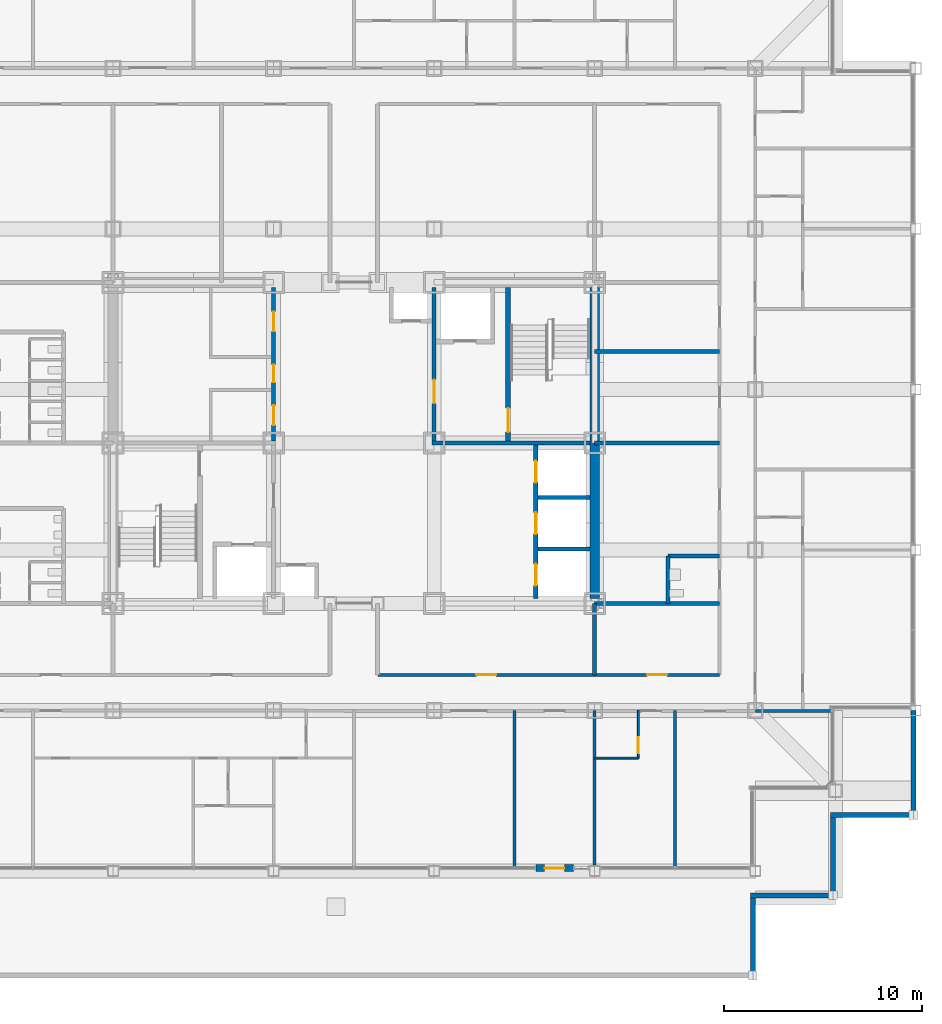
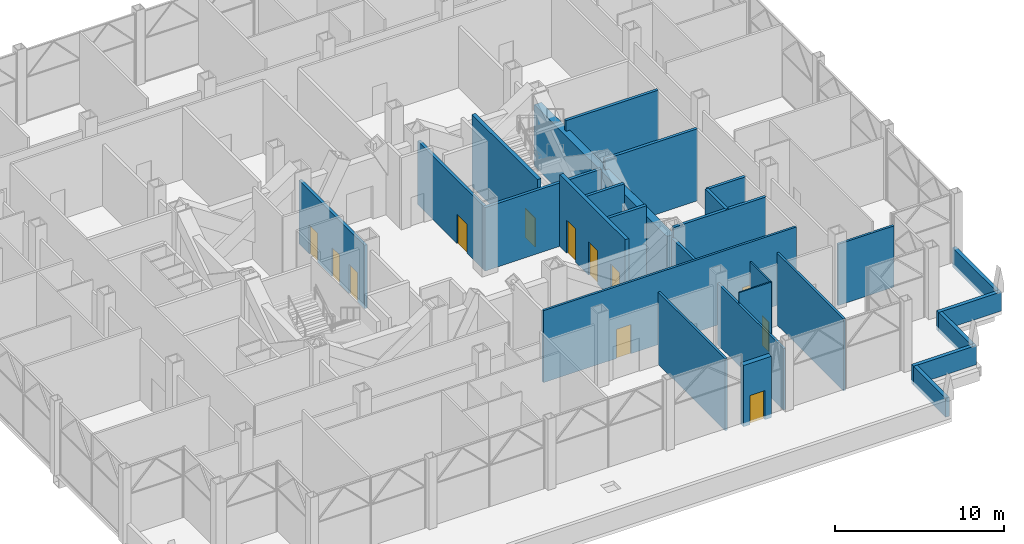
# One storey, part 23 of 29: 27 walls, 12 doors, 12 openings.
"""IFC4 building model written with IfcOpenShell, lengths in metres."""

from ifc_helpers import new_model, si_unit, direction, frame, frame_2d, origin, place, context, subcontext, project, spatial, rectangle, extrude, material, layer, layer_set, type_object, element, fill, save


model = new_model("IFC4")

# Units and contexts
model_context = context("Model", 3, precision=1e-05, world=origin(), true_north=direction((0.0, 1.0)))
body_context = subcontext(model_context, "Body", "Model", "MODEL_VIEW")
ifc_project = project(units=[si_unit("LENGTHUNIT", "METRE"), si_unit("AREAUNIT", "SQUARE_METRE"), si_unit("VOLUMEUNIT", "CUBIC_METRE"), si_unit("PLANEANGLEUNIT", "RADIAN"), si_unit("MASSUNIT", "GRAM", prefix="KILO")], contexts=[model_context])

# Site, building, storey
site_placement = place(None, origin())
site = spatial("IfcSite", under=ifc_project, at=site_placement, CompositionType="ELEMENT")
building_placement = place(site_placement, origin())
building = spatial("IfcBuilding", under=site, at=building_placement, Name="Kopane Lantern Tower", CompositionType="ELEMENT")
storey_placement = place(building_placement, frame((0.0, 0.0, 165.0)))
storey = spatial("IfcBuildingStorey", under=building, at=storey_placement, Name="L42", CompositionType="ELEMENT", Elevation=165.0)

# Wall
ifc_material_1 = material(Name="Moisture-resistant board on steel studs", Category="steel")
ifc_layer_1 = layer(ifc_material_1, 0.10009765625)
ifc_layer_set_1 = layer_set([ifc_layer_1], Name="BATHROOM WALL 100")
wall_type_1 = type_object("IfcWallType", Name="BATHROOM WALL 100", PredefinedType="PARTITIONING", material=ifc_layer_set_1)
wall_1_placement = place(storey_placement, frame((40.5, 16.5, 0.0), z_axis=(0.0, 0.0, 1.0), x_axis=(1.0, 0.0, 0.0)))
element("IfcWall", 1, at=wall_1_placement, inside=storey, type_object=wall_type_1, Name="Bathroom Wall 100 L42", PredefinedType="PARTITIONING", context=body_context, shape_type="SweptSolid", body=[
    extrude(rectangle(XDim=2.199951171875, YDim=0.10009765625, at=frame_2d((1.10009765625, 0.0))), origin(), (0.0, 0.0, 1.0), 5.18994140625),
])

# Wall, opening, door
wall_2_placement = place(storey_placement, frame((42.699951171875, 18.89990234375, 0.0), z_axis=(0.0, 0.0, 1.0), x_axis=(0.0, -1.0, 0.0)))
wall_2 = element("IfcWall", 2, at=wall_2_placement, inside=storey, type_object=wall_type_1, Name="Bathroom Wall 100 L42", PredefinedType="PARTITIONING", context=body_context, shape_type="SweptSolid", body=[
    extrude(rectangle(XDim=2.39990234375, YDim=0.10009765625, at=frame_2d((1.199951171875, 0.0))), origin(), (0.0, 0.0, 1.0), 5.18994140625),
])
opening_1_placement = place(wall_2_placement, frame((1.35009765625, 0.0, 0.0)))
opening_1 = element("IfcOpeningElement", 3, at=opening_1_placement, cuts=wall_2, Name="Opening L42-026", PredefinedType="OPENING", context=body_context, shape_type="SweptSolid", body=[
    extrude(rectangle(XDim=0.800048828125, YDim=2.10009765625, at=frame_2d((0.39990234375, 1.050048828125))), frame((0.0, 0.06005859375, 0.0), z_axis=(0.0, -1.0, 0.0), x_axis=(1.0, 0.0, 0.0)), (0.0, 0.0, 1.0), 0.1201171875),
])
ifc_material_2 = material(Name="Timber door set", Category="wood")
door_type_1 = type_object("IfcDoorType", Name="DOOR D2 800x2100", OperationType="SINGLE_SWING_LEFT", PredefinedType="DOOR", material=ifc_material_2)
door_1_placement = place(opening_1_placement, origin())
door_1 = element("IfcDoor", 4, at=door_1_placement, inside=storey, type_object=door_type_1, Name="Door L42-026", OperationType="SINGLE_SWING_LEFT", OverallHeight=2.10009765625, OverallWidth=0.800048828125, PredefinedType="DOOR", context=body_context, shape_type="SweptSolid", body=[
    extrude(rectangle(XDim=0.800048828125, YDim=2.10009765625, at=frame_2d((0.39990234375, 1.050048828125))), frame((0.0, 0.02490234375, 0.0), z_axis=(0.0, -1.0, 0.0), x_axis=(1.0, 0.0, 0.0)), (0.0, 0.0, 1.0), 0.050048828125),
])
fill(opening_1, door_1)

# Wall
ifc_material_3 = material(Name="Gypsum shaft wall EI 120", Category="gypsum")
ifc_layer_2 = layer(ifc_material_3, 0.5)
ifc_layer_set_2 = layer_set([ifc_layer_2], Name="CORE PERIMETER WALL 500 EI 120")
wall_type_2 = type_object("IfcWallType", Name="CORE PERIMETER WALL 500 EI 120", PredefinedType="SOLIDWALL", material=ifc_layer_set_2)
wall_3_placement = place(storey_placement, frame((40.5, 24.550048828125, 0.0), z_axis=(0.0, 0.0, 1.0), x_axis=(0.0, 1.0, 0.0)))
element("IfcWall", 5, at=wall_3_placement, inside=storey, type_object=wall_type_2, Name="Core shaft wall L42 PE", PredefinedType="SOLIDWALL", context=body_context, shape_type="SweptSolid", body=[
    extrude(rectangle(XDim=15.699951171875, YDim=0.5, at=frame_2d((7.85009765625, 0.0))), origin(), (0.0, 0.0, 1.0), 4.420166015625),
])

# Wall, openings, doors
ifc_material_4 = material(Name="Gypsum partition EI 60", Category="gypsum")
ifc_layer_3 = layer(ifc_material_4, 0.199951171875)
ifc_layer_set_3 = layer_set([ifc_layer_3], Name="CORE ROOM WALL 200 EI 60")
wall_type_3 = type_object("IfcWallType", Name="CORE ROOM WALL 200 EI 60", PredefinedType="PARTITIONING", material=ifc_layer_set_3)
wall_4_placement = place(storey_placement, frame((24.300048828125, 32.5, 0.0), z_axis=(0.0, 0.0, 1.0), x_axis=(0.0, 1.0, 0.0)))
wall_4 = element("IfcWall", 6, at=wall_4_placement, inside=storey, type_object=wall_type_3, Name="Core room wall L42 XW", PredefinedType="PARTITIONING", context=body_context, shape_type="SweptSolid", body=[
    extrude(rectangle(XDim=7.75, YDim=0.199951171875, at=frame_2d((3.875, 0.0))), origin(), (0.0, 0.0, 1.0), 4.577880859375),
])
opening_2_placement = place(wall_4_placement, frame((0.800048828125, 0.0, 0.0)))
opening_2 = element("IfcOpeningElement", 7, at=opening_2_placement, cuts=wall_4, Name="Opening 42.C30", PredefinedType="OPENING", context=body_context, shape_type="SweptSolid", body=[
    extrude(rectangle(XDim=1.0, YDim=2.10009765625, at=frame_2d((0.5, 1.050048828125))), frame((0.0, 0.10986328125, 0.0), z_axis=(0.0, -1.0, 0.0), x_axis=(1.0, 0.0, 0.0)), (0.0, 0.0, 1.0), 0.219970703125),
])
opening_3_placement = place(wall_4_placement, frame((2.949951171875, 0.0, 0.0)))
opening_3 = element("IfcOpeningElement", 8, at=opening_3_placement, cuts=wall_4, Name="Opening 42.C31", PredefinedType="OPENING", context=body_context, shape_type="SweptSolid", body=[
    extrude(rectangle(XDim=0.89990234375, YDim=2.10009765625, at=frame_2d((0.449951171875, 1.050048828125))), frame((0.0, 0.10986328125, 0.0), z_axis=(0.0, -1.0, 0.0), x_axis=(1.0, 0.0, 0.0)), (0.0, 0.0, 1.0), 0.219970703125),
])
opening_4_placement = place(wall_4_placement, frame((5.52490234375, 0.0, 0.0)))
opening_4 = element("IfcOpeningElement", 9, at=opening_4_placement, cuts=wall_4, Name="Opening 42.C32", PredefinedType="OPENING", context=body_context, shape_type="SweptSolid", body=[
    extrude(rectangle(XDim=1.0, YDim=2.10009765625, at=frame_2d((0.5, 1.050048828125))), frame((0.0, 0.10986328125, 0.0), z_axis=(0.0, -1.0, 0.0), x_axis=(1.0, 0.0, 0.0)), (0.0, 0.0, 1.0), 0.219970703125),
])
ifc_material_5 = material(Name="Steel door set", Category="steel")
door_type_2 = type_object("IfcDoorType", Name="CORE ROOM DOOR 1000x2100 FD30S", OperationType="SINGLE_SWING_RIGHT", PredefinedType="DOOR", material=ifc_material_5)
door_2_placement = place(opening_2_placement, origin())
door_2 = element("IfcDoor", 10, at=door_2_placement, inside=storey, type_object=door_type_2, Name="Door Concierge pantry L42", OperationType="SINGLE_SWING_RIGHT", OverallHeight=2.10009765625, OverallWidth=1.0, PredefinedType="DOOR", context=body_context, shape_type="SweptSolid", body=[
    extrude(rectangle(XDim=1.0, YDim=2.10009765625, at=frame_2d((0.5, 1.050048828125))), frame((0.0, 0.02490234375, 0.0), z_axis=(0.0, -1.0, 0.0), x_axis=(1.0, 0.0, 0.0)), (0.0, 0.0, 1.0), 0.050048828125),
])
fill(opening_2, door_2)
door_3_placement = place(opening_4_placement, origin())
door_3 = element("IfcDoor", 11, at=door_3_placement, inside=storey, type_object=door_type_2, Name="Door Parcel room L42", OperationType="SINGLE_SWING_LEFT", OverallHeight=2.10009765625, OverallWidth=1.0, PredefinedType="DOOR", context=body_context, shape_type="SweptSolid", body=[
    extrude(rectangle(XDim=1.0, YDim=2.10009765625, at=frame_2d((0.5, 1.050048828125))), frame((0.0, 0.02490234375, 0.0), z_axis=(0.0, -1.0, 0.0), x_axis=(1.0, 0.0, 0.0)), (0.0, 0.0, 1.0), 0.050048828125),
])
fill(opening_4, door_3)
ifc_material_6 = material(Name="Steel door set", Category="steel")
door_type_3 = type_object("IfcDoorType", Name="CORE ROOM DOOR 900x2100 FD60", OperationType="SINGLE_SWING_LEFT", PredefinedType="DOOR", material=ifc_material_6)
door_4_placement = place(opening_3_placement, origin())
door_4 = element("IfcDoor", 12, at=door_4_placement, inside=storey, type_object=door_type_3, Name="Door Residents storage L42", OperationType="SINGLE_SWING_RIGHT", OverallHeight=2.10009765625, OverallWidth=0.89990234375, PredefinedType="DOOR", context=body_context, shape_type="SweptSolid", body=[
    extrude(rectangle(XDim=0.89990234375, YDim=2.10009765625, at=frame_2d((0.449951171875, 1.050048828125))), frame((0.0, 0.02490234375, 0.0), z_axis=(0.0, -1.0, 0.0), x_axis=(1.0, 0.0, 0.0)), (0.0, 0.0, 1.0), 0.050048828125),
])
fill(opening_3, door_4)

ifc_material_7 = material(Name="Gypsum shaft wall EI 120", Category="gypsum")
ifc_layer_4 = layer(ifc_material_7, 0.25)
ifc_layer_set_4 = layer_set([ifc_layer_4], Name="CORE SHAFT WALL 250 EI 120")
wall_type_4 = type_object("IfcWallType", Name="CORE SHAFT WALL 250 EI 120", PredefinedType="SOLIDWALL", material=ifc_layer_set_4)
wall_5_placement = place(storey_placement, frame((37.52490234375, 24.550048828125, 0.0), z_axis=(0.0, 0.0, 1.0), x_axis=(0.0, 1.0, 0.0)))
wall_5 = element("IfcWall", 13, at=wall_5_placement, inside=storey, type_object=wall_type_4, Name="Core shaft wall L42 XLR", PredefinedType="SOLIDWALL", context=body_context, shape_type="SweptSolid", body=[
    extrude(rectangle(XDim=7.75, YDim=0.25, at=frame_2d((3.875, 0.0))), origin(), (0.0, 0.0, 1.0), 5.18994140625),
])
opening_5_placement = place(wall_5_placement, frame((0.64990234375, 0.0, 0.0)))
opening_5 = element("IfcOpeningElement", 14, at=opening_5_placement, cuts=wall_5, Name="Opening 42.LD-LR1", PredefinedType="OPENING", context=body_context, shape_type="SweptSolid", body=[
    extrude(rectangle(XDim=1.10009765625, YDim=2.39990234375, at=frame_2d((0.550048828125, 1.199951171875))), frame((0.0, 0.135009765625, 0.0), z_axis=(0.0, -1.0, 0.0), x_axis=(1.0, 0.0, 0.0)), (0.0, 0.0, 1.0), 0.27001953125),
])
opening_6_placement = place(wall_5_placement, frame((3.25, 0.0, 0.0)))
opening_6 = element("IfcOpeningElement", 15, at=opening_6_placement, cuts=wall_5, Name="Opening 42.LD-LR2", PredefinedType="OPENING", context=body_context, shape_type="SweptSolid", body=[
    extrude(rectangle(XDim=1.10009765625, YDim=2.39990234375, at=frame_2d((0.550048828125, 1.199951171875))), frame((0.0, 0.135009765625, 0.0), z_axis=(0.0, -1.0, 0.0), x_axis=(1.0, 0.0, 0.0)), (0.0, 0.0, 1.0), 0.27001953125),
])
opening_7_placement = place(wall_5_placement, frame((5.85009765625, 0.0, 0.0)))
opening_7 = element("IfcOpeningElement", 16, at=opening_7_placement, cuts=wall_5, Name="Opening 42.LD-LR3", PredefinedType="OPENING", context=body_context, shape_type="SweptSolid", body=[
    extrude(rectangle(XDim=1.10009765625, YDim=2.39990234375, at=frame_2d((0.550048828125, 1.199951171875))), frame((0.0, 0.135009765625, 0.0), z_axis=(0.0, -1.0, 0.0), x_axis=(1.0, 0.0, 0.0)), (0.0, 0.0, 1.0), 0.27001953125),
])
ifc_material_8 = material(Name="Steel door set", Category="steel")
door_type_4 = type_object("IfcDoorType", Name="LIFT LANDING DOOR 1100x2400 FD60", OperationType="DOUBLE_DOOR_SLIDING", PredefinedType="DOOR", material=ifc_material_8)
door_5_placement = place(opening_5_placement, origin())
door_5 = element("IfcDoor", 17, at=door_5_placement, inside=storey, type_object=door_type_4, Name="Landing door LR1 L42", OperationType="DOUBLE_DOOR_SLIDING", OverallHeight=2.39990234375, OverallWidth=1.10009765625, PredefinedType="DOOR", context=body_context, shape_type="SweptSolid", body=[
    extrude(rectangle(XDim=1.10009765625, YDim=2.39990234375, at=frame_2d((0.550048828125, 1.199951171875))), frame((0.0, 0.02490234375, 0.0), z_axis=(0.0, -1.0, 0.0), x_axis=(1.0, 0.0, 0.0)), (0.0, 0.0, 1.0), 0.050048828125),
])
fill(opening_5, door_5)
door_6_placement = place(opening_6_placement, origin())
door_6 = element("IfcDoor", 18, at=door_6_placement, inside=storey, type_object=door_type_4, Name="Landing door LR2 L42", OperationType="DOUBLE_DOOR_SLIDING", OverallHeight=2.39990234375, OverallWidth=1.10009765625, PredefinedType="DOOR", context=body_context, shape_type="SweptSolid", body=[
    extrude(rectangle(XDim=1.10009765625, YDim=2.39990234375, at=frame_2d((0.550048828125, 1.199951171875))), frame((0.0, 0.02490234375, 0.0), z_axis=(0.0, -1.0, 0.0), x_axis=(1.0, 0.0, 0.0)), (0.0, 0.0, 1.0), 0.050048828125),
])
fill(opening_6, door_6)
door_7_placement = place(opening_7_placement, origin())
door_7 = element("IfcDoor", 19, at=door_7_placement, inside=storey, type_object=door_type_4, Name="Landing door LR3 L42", OperationType="DOUBLE_DOOR_SLIDING", OverallHeight=2.39990234375, OverallWidth=1.10009765625, PredefinedType="DOOR", context=body_context, shape_type="SweptSolid", body=[
    extrude(rectangle(XDim=1.10009765625, YDim=2.39990234375, at=frame_2d((0.550048828125, 1.199951171875))), frame((0.0, 0.02490234375, 0.0), z_axis=(0.0, -1.0, 0.0), x_axis=(1.0, 0.0, 0.0)), (0.0, 0.0, 1.0), 0.050048828125),
])
fill(opening_7, door_7)

# Wall, opening, door
wall_6_placement = place(storey_placement, frame((36.125, 32.5, 0.0), z_axis=(0.0, 0.0, 1.0), x_axis=(0.0, 1.0, 0.0)))
wall_6 = element("IfcWall", 20, at=wall_6_placement, inside=storey, type_object=wall_type_4, Name="Core shaft wall L42 XST2", PredefinedType="SOLIDWALL", context=body_context, shape_type="SweptSolid", body=[
    extrude(rectangle(XDim=7.75, YDim=0.25, at=frame_2d((3.875, 0.0))), origin(), (0.0, 0.0, 1.0), 5.18994140625),
])
opening_8_placement = place(wall_6_placement, frame((0.449951171875, 0.0, 0.0)))
opening_8 = element("IfcOpeningElement", 21, at=opening_8_placement, cuts=wall_6, Name="Opening 42.SD2", PredefinedType="OPENING", context=body_context, shape_type="SweptSolid", body=[
    extrude(rectangle(XDim=1.199951171875, YDim=2.10009765625, at=frame_2d((0.60009765625, 1.050048828125))), frame((0.0, 0.135009765625, 0.0), z_axis=(0.0, -1.0, 0.0), x_axis=(1.0, 0.0, 0.0)), (0.0, 0.0, 1.0), 0.27001953125),
])
ifc_material_9 = material(Name="Steel door set", Category="steel")
door_type_5 = type_object("IfcDoorType", Name="STAIR DOOR 1200x2100 FD60S", OperationType="SINGLE_SWING_LEFT", PredefinedType="DOOR", material=ifc_material_9)
door_8_placement = place(opening_8_placement, origin())
door_8 = element("IfcDoor", 22, at=door_8_placement, inside=storey, type_object=door_type_5, Name="Stair door ST2 L42", OperationType="SINGLE_SWING_RIGHT", OverallHeight=2.10009765625, OverallWidth=1.199951171875, PredefinedType="DOOR", context=body_context, shape_type="SweptSolid", body=[
    extrude(rectangle(XDim=1.199951171875, YDim=2.10009765625, at=frame_2d((0.60009765625, 1.050048828125))), frame((0.0, 0.02490234375, 0.0), z_axis=(0.0, -1.0, 0.0), x_axis=(1.0, 0.0, 0.0)), (0.0, 0.0, 1.0), 0.050048828125),
])
fill(opening_8, door_8)

# Wall, openings, doors
ifc_material_10 = material(Name="Gypsum board on steel studs", Category="steel")
ifc_layer_5 = layer(ifc_material_10, 0.14990234375)
ifc_layer_set_5 = layer_set([ifc_layer_5], Name="CORRIDOR WALL 150 EI 60")
wall_type_5 = type_object("IfcWallType", Name="CORRIDOR WALL 150 EI 60", PredefinedType="PARTITIONING", material=ifc_layer_set_5)
wall_7_placement = place(storey_placement, frame((29.56005859375, 20.699951171875, 0.0), z_axis=(0.0, 0.0, 1.0), x_axis=(1.0, 0.0, 0.0)))
wall_7 = element("IfcWall", 23, at=wall_7_placement, inside=storey, type_object=wall_type_5, Name="Corridor Wall 150 Ei 60 L42", PredefinedType="PARTITIONING", context=body_context, shape_type="SweptSolid", body=[
    extrude(rectangle(XDim=17.239990234375, YDim=0.14990234375, at=frame_2d((8.6201171875, 0.0))), origin(), (0.0, 0.0, 1.0), 5.18994140625),
])
opening_9_placement = place(wall_7_placement, frame((4.965087890625, 0.0, 0.0)))
opening_9 = element("IfcOpeningElement", 24, at=opening_9_placement, cuts=wall_7, Name="Opening L42-011", PredefinedType="OPENING", context=body_context, shape_type="SweptSolid", body=[
    extrude(rectangle(XDim=1.0, YDim=2.10009765625, at=frame_2d((0.5, 1.050048828125))), frame((0.0, 0.0849609375, 0.0), z_axis=(0.0, -1.0, 0.0), x_axis=(1.0, 0.0, 0.0)), (0.0, 0.0, 1.0), 0.169921875),
])
opening_10_placement = place(wall_7_placement, frame((13.590087890625, 0.0, 0.0)))
opening_10 = element("IfcOpeningElement", 25, at=opening_10_placement, cuts=wall_7, Name="Opening L42-012", PredefinedType="OPENING", context=body_context, shape_type="SweptSolid", body=[
    extrude(rectangle(XDim=1.0, YDim=2.10009765625, at=frame_2d((0.5, 1.050048828125))), frame((0.0, 0.0849609375, 0.0), z_axis=(0.0, -1.0, 0.0), x_axis=(1.0, 0.0, 0.0)), (0.0, 0.0, 1.0), 0.169921875),
])
ifc_material_11 = material(Name="Steel door set", Category="steel")
door_type_6 = type_object("IfcDoorType", Name="DOOR D5 1000x2100 FD60", OperationType="SINGLE_SWING_LEFT", PredefinedType="DOOR", material=ifc_material_11)
door_9_placement = place(opening_9_placement, origin())
door_9 = element("IfcDoor", 26, at=door_9_placement, inside=storey, type_object=door_type_6, Name="Door L42-011", OperationType="SINGLE_SWING_LEFT", OverallHeight=2.10009765625, OverallWidth=1.0, PredefinedType="DOOR", context=body_context, shape_type="SweptSolid", body=[
    extrude(rectangle(XDim=1.0, YDim=2.10009765625, at=frame_2d((0.5, 1.050048828125))), frame((0.0, 0.02490234375, 0.0), z_axis=(0.0, -1.0, 0.0), x_axis=(1.0, 0.0, 0.0)), (0.0, 0.0, 1.0), 0.050048828125),
])
fill(opening_9, door_9)
door_10_placement = place(opening_10_placement, origin())
door_10 = element("IfcDoor", 27, at=door_10_placement, inside=storey, type_object=door_type_6, Name="Door L42-012", OperationType="SINGLE_SWING_RIGHT", OverallHeight=2.10009765625, OverallWidth=1.0, PredefinedType="DOOR", context=body_context, shape_type="SweptSolid", body=[
    extrude(rectangle(XDim=1.0, YDim=2.10009765625, at=frame_2d((0.5, 1.050048828125))), frame((0.0, 0.02490234375, 0.0), z_axis=(0.0, -1.0, 0.0), x_axis=(1.0, 0.0, 0.0)), (0.0, 0.0, 1.0), 0.050048828125),
])
fill(opening_10, door_10)

# Walls
ifc_material_12 = material(Name="Gypsum board on steel studs", Category="steel")
ifc_layer_6 = layer(ifc_material_12, 0.14990234375)
ifc_layer_set_6 = layer_set([ifc_layer_6], Name="DEMISING WALL 150 EI 60")
wall_type_6 = type_object("IfcWallType", Name="DEMISING WALL 150 EI 60", PredefinedType="PARTITIONING", material=ifc_layer_set_6)
wall_8_placement = place(storey_placement, frame((36.449951171875, 18.89990234375, 0.0), z_axis=(0.0, 0.0, 1.0), x_axis=(0.0, -1.0, 0.0)))
element("IfcWall", 28, at=wall_8_placement, inside=storey, type_object=wall_type_6, Name="Demising Wall 150 Ei 60 L42", PredefinedType="PARTITIONING", context=body_context, shape_type="SweptSolid", body=[
    extrude(rectangle(XDim=7.932861328125, YDim=0.14990234375, at=frame_2d((3.96630859375, 0.0))), origin(), (0.0, 0.0, 1.0), 5.18994140625),
])
wall_9_placement = place(storey_placement, frame((40.5, 18.89990234375, 0.0), z_axis=(0.0, 0.0, 1.0), x_axis=(0.0, -1.0, 0.0)))
element("IfcWall", 29, at=wall_9_placement, inside=storey, type_object=wall_type_6, Name="Demising Wall 150 Ei 60 L42", PredefinedType="PARTITIONING", context=body_context, shape_type="SweptSolid", body=[
    extrude(rectangle(XDim=7.7998046875, YDim=0.14990234375, at=frame_2d((3.89990234375, 0.0))), origin(), (0.0, 0.0, 1.0), 4.420166015625),
])
wall_10_placement = place(storey_placement, frame((48.60009765625, 18.8701171875, 0.0), z_axis=(0.0, 0.0, 1.0), x_axis=(1.0, 0.0, 0.0)))
element("IfcWall", 30, at=wall_10_placement, inside=storey, type_object=wall_type_6, Name="Demising Wall 150 Ei 60 L42", PredefinedType="PARTITIONING", context=body_context, shape_type="SweptSolid", body=[
    extrude(rectangle(XDim=3.814453125, YDim=0.14990234375, at=frame_2d((1.9072265625, 0.0))), origin(), (0.0, 0.0, 1.0), 4.420166015625),
])
wall_11_placement = place(storey_placement, frame((44.550048828125, 18.89990234375, 0.0), z_axis=(0.0, 0.0, 1.0), x_axis=(0.0, -1.0, 0.0)))
element("IfcWall", 31, at=wall_11_placement, inside=storey, type_object=wall_type_6, Name="Demising Wall 150 Ei 60 L42", PredefinedType="PARTITIONING", context=body_context, shape_type="SweptSolid", body=[
    extrude(rectangle(XDim=7.864501953125, YDim=0.14990234375, at=frame_2d((3.93212890625, 0.0))), origin(), (0.0, 0.0, 1.0), 5.18994140625),
])

# Wall, opening, door
ifc_material_13 = material(Name="Terracotta rainscreen on light steel framing", Category="masonry")
ifc_layer_7 = layer(ifc_material_13, 0.35009765625)
ifc_layer_set_7 = layer_set([ifc_layer_7], Name="ENTRANCE PIER WALL EW2 300 TERRACOTTA")
wall_type_7 = type_object("IfcWallType", Name="ENTRANCE PIER WALL EW2 300 TERRACOTTA", PredefinedType="SOLIDWALL", material=ifc_layer_set_7)
wall_12_placement = place(storey_placement, frame((37.52490234375, 10.949951171875, 0.0), z_axis=(0.0, 0.0, 1.0), x_axis=(1.0, 0.0, 0.0)))
wall_12 = element("IfcWall", 32, at=wall_12_placement, inside=storey, type_object=wall_type_7, Name="Entrance wall S L42", PredefinedType="SOLIDWALL", context=body_context, shape_type="SweptSolid", body=[
    extrude(rectangle(XDim=1.900146484375, YDim=0.35009765625, at=frame_2d((0.9501953125, 0.0))), origin(), (0.0, 0.0, 1.0), 4.420166015625),
])
opening_11_placement = place(wall_12_placement, frame((0.449951171875, 0.0, 0.0)))
opening_11 = element("IfcOpeningElement", 33, at=opening_11_placement, cuts=wall_12, Name="Opening L42-E01", PredefinedType="OPENING", context=body_context, shape_type="SweptSolid", body=[
    extrude(rectangle(XDim=1.0, YDim=2.10009765625, at=frame_2d((0.5, 1.050048828125))), frame((0.0, 0.18505859375, 0.0), z_axis=(0.0, -1.0, 0.0), x_axis=(1.0, 0.0, 0.0)), (0.0, 0.0, 1.0), 0.3701171875),
])
ifc_material_14 = material(Name="Insulated steel door set", Category="steel")
door_type_7 = type_object("IfcDoorType", Name="ROOF ACCESS DOOR ED1021 1000x2100", OperationType="SINGLE_SWING_LEFT", PredefinedType="DOOR", material=ifc_material_14)
door_11_placement = place(opening_11_placement, origin())
door_11 = element("IfcDoor", 34, at=door_11_placement, inside=storey, type_object=door_type_7, Name="Roof access door L42-E01", OperationType="SINGLE_SWING_RIGHT", OverallHeight=2.10009765625, OverallWidth=1.0, PredefinedType="DOOR", context=body_context, shape_type="SweptSolid", body=[
    extrude(rectangle(XDim=1.0, YDim=2.10009765625, at=frame_2d((0.5, 1.050048828125))), frame((0.0, 0.02490234375, 0.0), z_axis=(0.0, -1.0, 0.0), x_axis=(1.0, 0.0, 0.0)), (0.0, 0.0, 1.0), 0.050048828125),
])
fill(opening_11, door_11)

# Walls
ifc_material_15 = material(Name="Terracotta rainscreen on light steel framing", Category="masonry")
ifc_layer_8 = layer(ifc_material_15, 0.25)
ifc_layer_set_8 = layer_set([ifc_layer_8], Name="PARAPET PW1 250 TERRACOTTA")
wall_type_8 = type_object("IfcWallType", Name="PARAPET PW1 250 TERRACOTTA", PredefinedType="PARAPET", material=ifc_layer_set_8)
wall_13_placement = place(storey_placement, frame((48.47509765625, 5.64990234375, 0.0), z_axis=(0.0, 0.0, 1.0), x_axis=(0.0, 1.0, 0.0)))
element("IfcWall", 35, at=wall_13_placement, inside=storey, type_object=wall_type_8, Name="Parapet L42", PredefinedType="PARAPET", context=body_context, shape_type="SweptSolid", body=[
    extrude(rectangle(XDim=3.800048828125, YDim=0.25, at=frame_2d((1.89990234375, 0.0))), origin(), (0.0, 0.0, 1.0), 1.3798828125),
])
wall_14_placement = place(storey_placement, frame((48.35009765625, 9.574951171875, 0.0), z_axis=(0.0, 0.0, 1.0), x_axis=(1.0, 0.0, 0.0)))
element("IfcWall", 36, at=wall_14_placement, inside=storey, type_object=wall_type_8, Name="Parapet L42", PredefinedType="PARAPET", context=body_context, shape_type="SweptSolid", body=[
    extrude(rectangle(XDim=4.2998046875, YDim=0.25, at=frame_2d((2.14990234375, 0.0))), origin(), (0.0, 0.0, 1.0), 1.3798828125),
])
wall_15_placement = place(storey_placement, frame((52.52490234375, 9.699951171875, 0.0), z_axis=(0.0, 0.0, 1.0), x_axis=(0.0, 1.0, 0.0)))
element("IfcWall", 37, at=wall_15_placement, inside=storey, type_object=wall_type_8, Name="Parapet L42", PredefinedType="PARAPET", context=body_context, shape_type="SweptSolid", body=[
    extrude(rectangle(XDim=3.800048828125, YDim=0.25, at=frame_2d((1.89990234375, 0.0))), origin(), (0.0, 0.0, 1.0), 1.3798828125),
])
wall_16_placement = place(storey_placement, frame((52.39990234375, 13.625, 0.0), z_axis=(0.0, 0.0, 1.0), x_axis=(1.0, 0.0, 0.0)))
element("IfcWall", 38, at=wall_16_placement, inside=storey, type_object=wall_type_8, Name="Parapet L42", PredefinedType="PARAPET", context=body_context, shape_type="SweptSolid", body=[
    extrude(rectangle(XDim=4.300048828125, YDim=0.25, at=frame_2d((2.14990234375, 0.0))), origin(), (0.0, 0.0, 1.0), 1.3798828125),
])
wall_17_placement = place(storey_placement, frame((56.574951171875, 13.75, 0.0), z_axis=(0.0, 0.0, 1.0), x_axis=(0.0, 1.0, 0.0)))
element("IfcWall", 39, at=wall_17_placement, inside=storey, type_object=wall_type_8, Name="Parapet L42", PredefinedType="PARAPET", context=body_context, shape_type="SweptSolid", body=[
    extrude(rectangle(XDim=5.14990234375, YDim=0.25, at=frame_2d((2.574951171875, 0.0))), origin(), (0.0, 0.0, 1.0), 1.3798828125),
])
ifc_material_16 = material(Name="Concrete masonry", Category="masonry")
ifc_layer_9 = layer(ifc_material_16, 0.199951171875)
ifc_layer_set_9 = layer_set([ifc_layer_9], Name="PLANT ROOM WALL 200 EI 120")
wall_type_9 = type_object("IfcWallType", Name="PLANT ROOM WALL 200 EI 120", PredefinedType="SOLIDWALL", material=ifc_layer_set_9)
wall_18_placement = place(storey_placement, frame((40.5, 32.39990234375, 0.0), z_axis=(0.0, 0.0, 1.0), x_axis=(1.0, 0.0, 0.0)))
element("IfcWall", 40, at=wall_18_placement, inside=storey, type_object=wall_type_9, Name="Plant Room Wall 200 Ei 120 L42", PredefinedType="SOLIDWALL", context=body_context, shape_type="SweptSolid", body=[
    extrude(rectangle(XDim=6.300048828125, YDim=0.199951171875, at=frame_2d((3.14990234375, 0.0))), origin(), (0.0, 0.0, 1.0), 5.18994140625),
])
wall_19_placement = place(storey_placement, frame((46.800048828125, 26.699951171875, 0.0), z_axis=(0.0, 0.0, 1.0), x_axis=(-1.0, 0.0, 0.0)))
element("IfcWall", 41, at=wall_19_placement, inside=storey, type_object=wall_type_9, Name="Plant Room Wall 200 Ei 120 L42", PredefinedType="SOLIDWALL", context=body_context, shape_type="SweptSolid", body=[
    extrude(rectangle(XDim=2.60009765625, YDim=0.199951171875, at=frame_2d((1.300048828125, 0.0))), origin(), (0.0, 0.0, 1.0), 5.18994140625),
])
wall_20_placement = place(storey_placement, frame((44.199951171875, 24.300048828125, 0.0), z_axis=(0.0, 0.0, 1.0), x_axis=(0.0, 1.0, 0.0)))
element("IfcWall", 42, at=wall_20_placement, inside=storey, type_object=wall_type_9, Name="Plant Room Wall 200 Ei 120 L42", PredefinedType="SOLIDWALL", context=body_context, shape_type="SweptSolid", body=[
    extrude(rectangle(XDim=2.39990234375, YDim=0.199951171875, at=frame_2d((1.199951171875, 0.0))), origin(), (0.0, 0.0, 1.0), 5.18994140625),
])
wall_21_placement = place(storey_placement, frame((46.800048828125, 37.003173828125, 0.0), z_axis=(0.0, 0.0, 1.0), x_axis=(-1.0, 0.0, 0.0)))
element("IfcWall", 43, at=wall_21_placement, inside=storey, type_object=wall_type_9, Name="Plant Room Wall 200 Ei 120 L42", PredefinedType="SOLIDWALL", context=body_context, shape_type="SweptSolid", body=[
    extrude(rectangle(XDim=6.300048828125, YDim=0.199951171875, at=frame_2d((3.14990234375, 0.0))), origin(), (0.0, 0.0, 1.0), 5.18994140625),
])
wall_22_placement = place(storey_placement, frame((40.5, 20.699951171875, 0.0), z_axis=(0.0, 0.0, 1.0), x_axis=(0.0, 1.0, 0.0)))
element("IfcWall", 44, at=wall_22_placement, inside=storey, type_object=wall_type_9, Name="Plant Room Wall 200 Ei 120 L42", PredefinedType="SOLIDWALL", context=body_context, shape_type="SweptSolid", body=[
    extrude(rectangle(XDim=3.60009765625, YDim=0.199951171875, at=frame_2d((1.800048828125, 0.0))), origin(), (0.0, 0.0, 1.0), 4.420166015625),
])
wall_23_placement = place(storey_placement, frame((40.5, 24.300048828125, 0.0), z_axis=(0.0, 0.0, 1.0), x_axis=(1.0, 0.0, 0.0)))
element("IfcWall", 45, at=wall_23_placement, inside=storey, type_object=wall_type_9, Name="Plant Room Wall 200 Ei 120 L42", PredefinedType="SOLIDWALL", context=body_context, shape_type="SweptSolid", body=[
    extrude(rectangle(XDim=6.300048828125, YDim=0.199951171875, at=frame_2d((3.14990234375, 0.0))), origin(), (0.0, 0.0, 1.0), 5.18994140625),
])
ifc_material_17 = material(Name="Gypsum shaft wall EI 120", Category="gypsum")
ifc_layer_10 = layer(ifc_material_17, 0.199951171875)
ifc_layer_set_10 = layer_set([ifc_layer_10], Name="SHAFT WALL 200 EI 120")
wall_type_10 = type_object("IfcWallType", Name="SHAFT WALL 200 EI 120", PredefinedType="SOLIDWALL", material=ifc_layer_set_10)
wall_24_placement = place(storey_placement, frame((32.300048828125, 32.39990234375, 0.0), z_axis=(0.0, 0.0, 1.0), x_axis=(1.0, 0.0, 0.0)))
element("IfcWall", 46, at=wall_24_placement, inside=storey, type_object=wall_type_10, Name="Core shaft wall L42 Y324E", PredefinedType="SOLIDWALL", context=body_context, shape_type="SweptSolid", body=[
    extrude(rectangle(XDim=7.949951171875, YDim=0.199951171875, at=frame_2d((3.97509765625, 0.0))), origin(), (0.0, 0.0, 1.0), 4.577880859375),
])

# Wall, opening, door
wall_25_placement = place(storey_placement, frame((32.39990234375, 32.5, 0.0), z_axis=(0.0, 0.0, 1.0), x_axis=(0.0, 1.0, 0.0)))
wall_25 = element("IfcWall", 47, at=wall_25_placement, inside=storey, type_object=wall_type_10, Name="Core shaft wall L42 X324", PredefinedType="SOLIDWALL", context=body_context, shape_type="SweptSolid", body=[
    extrude(rectangle(XDim=7.75, YDim=0.199951171875, at=frame_2d((3.875, 0.0))), origin(), (0.0, 0.0, 1.0), 4.577880859375),
])
opening_12_placement = place(wall_25_placement, frame((1.89990234375, 0.0, 0.0)))
opening_12 = element("IfcOpeningElement", 48, at=opening_12_placement, cuts=wall_25, Name="Opening 42.FL2", PredefinedType="OPENING", context=body_context, shape_type="SweptSolid", body=[
    extrude(rectangle(XDim=1.199951171875, YDim=2.10009765625, at=frame_2d((0.60009765625, 1.050048828125))), frame((0.0, 0.10986328125, 0.0), z_axis=(0.0, -1.0, 0.0), x_axis=(1.0, 0.0, 0.0)), (0.0, 0.0, 1.0), 0.219970703125),
])
ifc_material_18 = material(Name="Steel door set", Category="steel")
door_type_8 = type_object("IfcDoorType", Name="FIREFIGHTING LOBBY DOOR 1200x2100 FD60S", OperationType="SINGLE_SWING_RIGHT", PredefinedType="DOOR", material=ifc_material_18)
door_12_placement = place(opening_12_placement, origin())
door_12 = element("IfcDoor", 49, at=door_12_placement, inside=storey, type_object=door_type_8, Name="Firefighting lobby door FL2 L42", OperationType="SINGLE_SWING_LEFT", OverallHeight=2.10009765625, OverallWidth=1.199951171875, PredefinedType="DOOR", context=body_context, shape_type="SweptSolid", body=[
    extrude(rectangle(XDim=1.199951171875, YDim=2.10009765625, at=frame_2d((0.60009765625, 1.050048828125))), frame((0.0, 0.02490234375, 0.0), z_axis=(0.0, -1.0, 0.0), x_axis=(1.0, 0.0, 0.0)), (0.0, 0.0, 1.0), 0.050048828125),
])
fill(opening_12, door_12)

# Walls
for number, where, z_axis, x_axis, name in (
    (50, (37.64990234375, 27.050048828125, 0.0), (0.0, 0.0, 1.0), (1.0, 0.0, 0.0), "Core shaft wall L42 YLR12"),
    (51, (37.64990234375, 29.64990234375, 0.0), (0.0, 0.0, 1.0), (1.0, 0.0, 0.0), "Core shaft wall L42 YLR23"),
):
    element("IfcWall", number, at=place(storey_placement, frame(where, z_axis=z_axis, x_axis=x_axis)), inside=storey, type_object=wall_type_10, Name=name, PredefinedType="SOLIDWALL", context=body_context, shape_type="SweptSolid", body=[
        extrude(rectangle(XDim=2.60009765625, YDim=0.199951171875, at=frame_2d((1.300048828125, 0.0))), origin(), (0.0, 0.0, 1.0), 5.18994140625),
    ])

save(model, "model.ifc")
